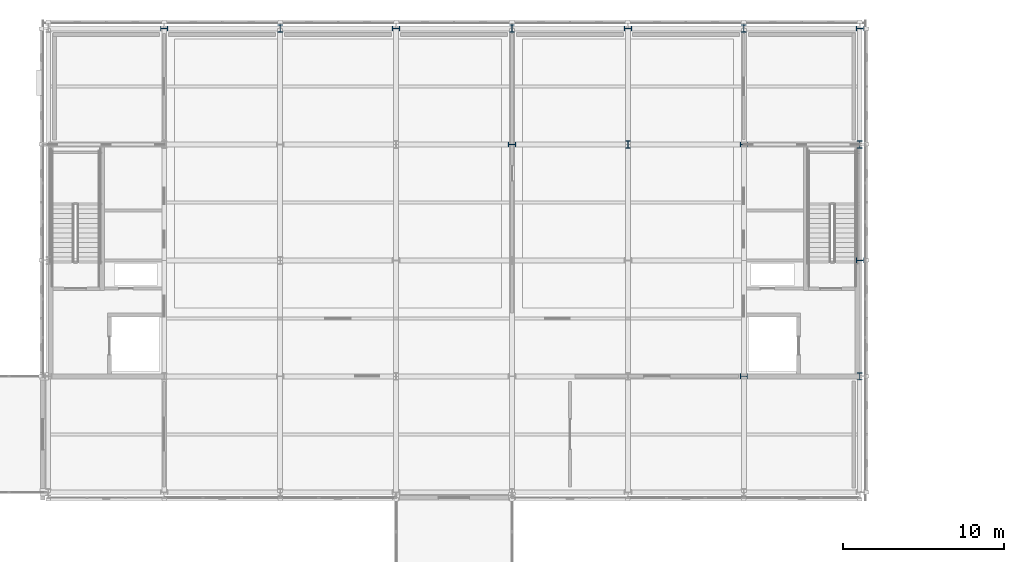
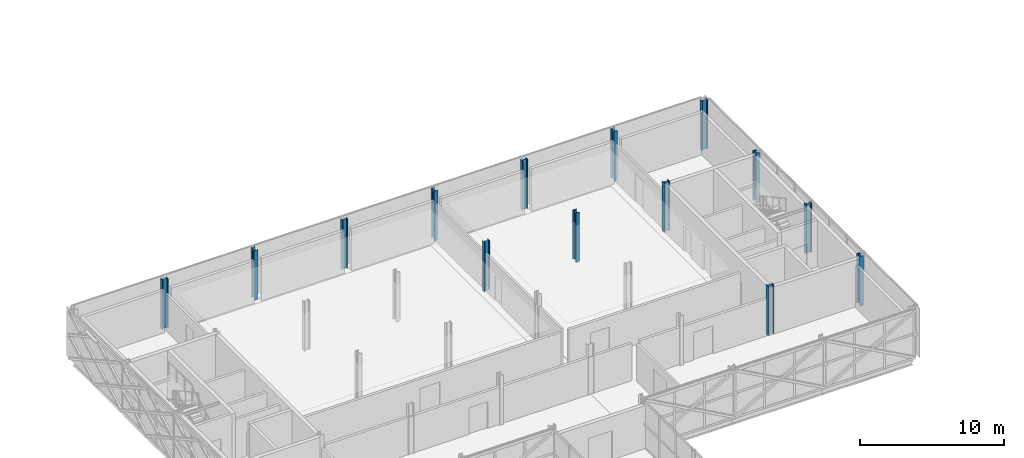
# One storey, part 18 of 146: 14 columns.
"""IFC4 building model written with IfcOpenShell, lengths in metres."""

from ifc_helpers import new_model, si_unit, direction, frame, origin, origin_2d, place, context, subcontext, project, spatial, i_section, extrude, material, material_profile, profile_set, type_object, element, save


model = new_model("IFC4")

# Units and contexts
model_context = context("Model", 3, precision=1e-05, world=origin(), true_north=direction((0.0, 1.0)))
body_context = subcontext(model_context, "Body", "Model", "MODEL_VIEW")
ifc_project = project(units=[si_unit("LENGTHUNIT", "METRE"), si_unit("AREAUNIT", "SQUARE_METRE"), si_unit("VOLUMEUNIT", "CUBIC_METRE"), si_unit("PLANEANGLEUNIT", "RADIAN"), si_unit("MASSUNIT", "GRAM", prefix="KILO")], contexts=[model_context])

# Site, building, storey
site_placement = place(None, origin())
site = spatial("IfcSite", under=ifc_project, at=site_placement, CompositionType="ELEMENT")
building_placement = place(site_placement, origin())
building = spatial("IfcBuilding", under=site, at=building_placement, Name="Zlatovets Crest Museum", CompositionType="ELEMENT")
storey_placement = place(building_placement, frame((0.0, 0.0, 4.5)))
storey = spatial("IfcBuildingStorey", under=building, at=storey_placement, Name="L01", CompositionType="ELEMENT", Elevation=4.5)

# Columns
ifc_material = material(Name="Structural steel S355J2", Category="steel")
ifc_material_profile = material_profile(ifc_material, i_section(OverallWidth=0.300048828125, OverallDepth=0.449951171875, WebThickness=0.013916015625, FlangeThickness=0.02587890625, FilletRadius=0.027099609375, at=origin_2d()), Name="HEB 450")
ifc_profile_set = profile_set([ifc_material_profile], Name="Structural steel S355J2")
column_type = type_object("IfcColumnType", Name="Col_C-06", PredefinedType="COLUMN", material=ifc_profile_set)
for number, where, z_axis, x_axis, name in (
    (1, (64.800048828125, 115.199951171875, 0.0), (0.0, 0.0, 1.0), (0.0, 1.0, 0.0), "V1 L01 Column (64.8, 115.2)"),
    (2, (72.0, 115.199951171875, 0.0), (0.0, 0.0, 1.0), (1.0, 0.0, 0.0), "V1 L01 Column (72.0, 115.2)"),
    (3, (79.199951171875, 115.199951171875, 0.0), (0.0, 0.0, 1.0), (0.0, 1.0, 0.0), "V1 L01 Column (79.2, 115.2)"),
    (4, (86.39990234375, 108.0, 0.0), (0.0, 0.0, 1.0), (0.0, 1.0, 0.0), "V1 L01 Column (86.4, 108.0)"),
    (5, (86.39990234375, 115.199951171875, 0.0), (0.0, 0.0, 1.0), (1.0, 0.0, 0.0), "V1 L01 Column (86.4, 115.2)"),
    (6, (93.60009765625, 108.0, 0.0), (0.0, 0.0, 1.0), (1.0, 0.0, 0.0), "V1 L01 Column (93.6, 108.0)"),
    (7, (93.60009765625, 115.199951171875, 0.0), (0.0, 0.0, 1.0), (0.0, 1.0, 0.0), "V1 L01 Column (93.6, 115.2)"),
    (8, (100.800048828125, 93.60009765625, 0.0), (0.0, 0.0, 1.0), (0.0, 1.0, 0.0), "V1 L01 Column (100.8, 93.6)"),
    (9, (100.800048828125, 108.0, 0.0), (0.0, 0.0, 1.0), (0.0, 1.0, 0.0), "V1 L01 Column (100.8, 108.0)"),
    (10, (100.800048828125, 115.199951171875, 0.0), (0.0, 0.0, 1.0), (1.0, 0.0, 0.0), "V1 L01 Column (100.8, 115.2)"),
    (11, (108.0, 93.60009765625, 0.0), (0.0, 0.0, 1.0), (1.0, 0.0, 0.0), "V1 L01 Column (108.0, 93.6)"),
    (12, (108.0, 100.800048828125, 0.0), (0.0, 0.0, 1.0), (0.0, 1.0, 0.0), "V1 L01 Column (108.0, 100.8)"),
    (13, (108.0, 108.0, 0.0), (0.0, 0.0, 1.0), (1.0, 0.0, 0.0), "V1 L01 Column (108.0, 108.0)"),
    (14, (108.0, 115.199951171875, 0.0), (0.0, 0.0, 1.0), (0.0, 1.0, 0.0), "V1 L01 Column (108.0, 115.2)"),
):
    element("IfcColumn", number, at=place(storey_placement, frame(where, z_axis=z_axis, x_axis=x_axis)), inside=storey, type_object=column_type, Name=name, PredefinedType="COLUMN", context=body_context, shape_type="SweptSolid", body=[
        extrude(i_section(OverallWidth=0.300048828125, OverallDepth=0.449951171875, WebThickness=0.013916015625, FlangeThickness=0.02587890625, FilletRadius=0.027099609375, at=origin_2d()), origin(), (0.0, 0.0, 1.0), 4.199951171875),
    ])

save(model, "model.ifc")
